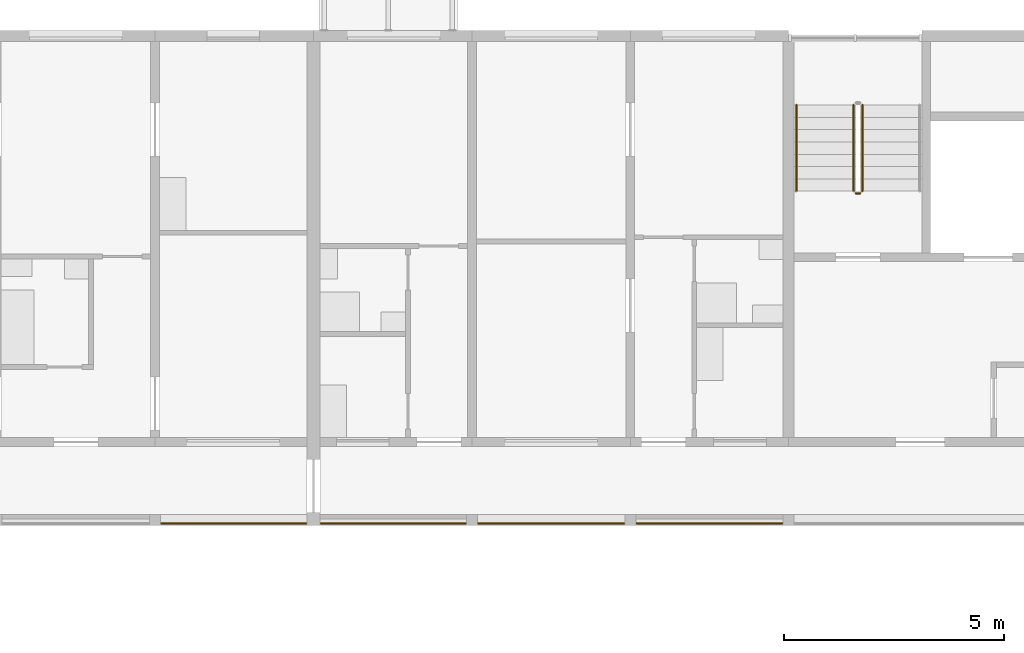
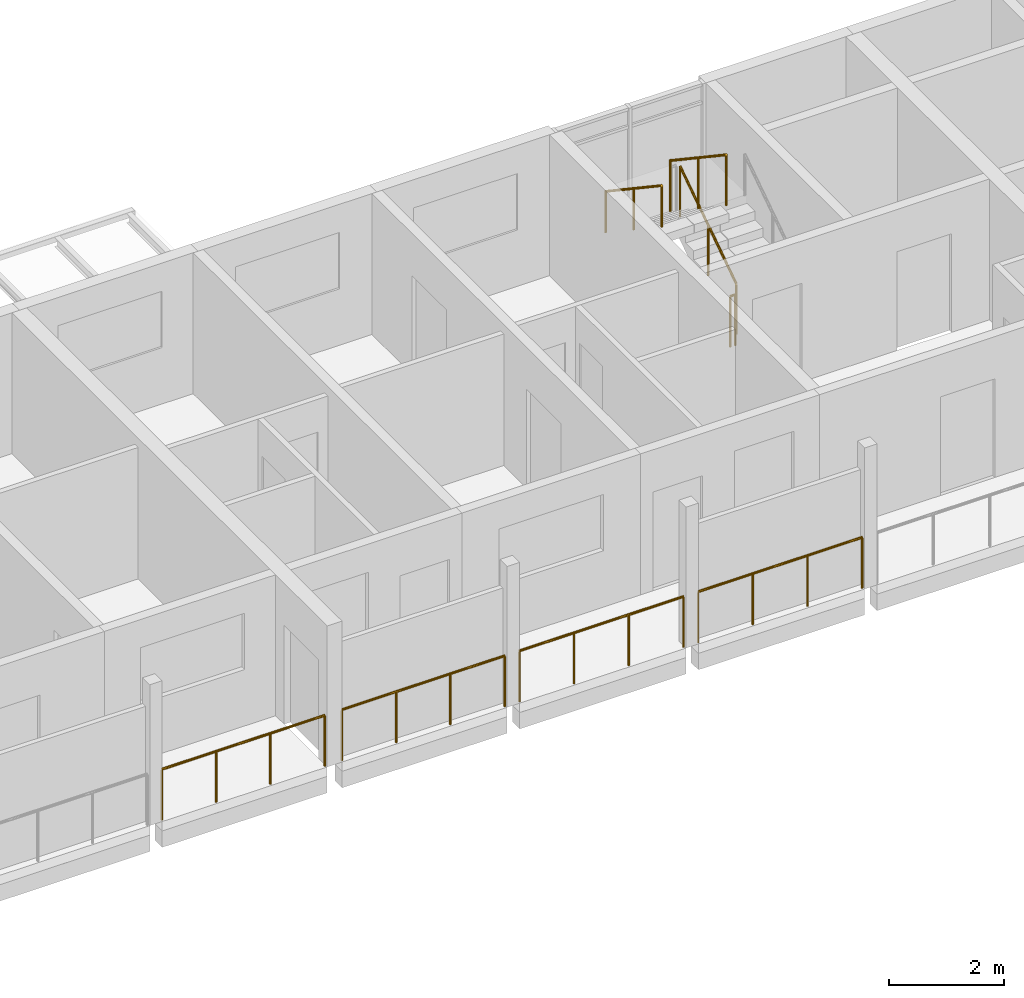
# One storey, part 78 of 100: 8 railings.
"""IFC4 building model written with IfcOpenShell, lengths in metres."""

from ifc_helpers import new_model, si_unit, direction, frame, origin, origin_2d, place, context, subcontext, project, spatial, circle, extrude, material, type_object, element, save


model = new_model("IFC4")

# Units and contexts
model_context = context("Model", 3, precision=1e-05, world=origin(), true_north=direction((0.0, 1.0)))
body_context = subcontext(model_context, "Body", "Model", "MODEL_VIEW")
ifc_project = project(units=[si_unit("LENGTHUNIT", "METRE"), si_unit("AREAUNIT", "SQUARE_METRE"), si_unit("VOLUMEUNIT", "CUBIC_METRE"), si_unit("PLANEANGLEUNIT", "RADIAN"), si_unit("MASSUNIT", "GRAM", prefix="KILO")], contexts=[model_context])

# Site, building, storey
site_placement = place(None, origin())
site = spatial("IfcSite", under=ifc_project, at=site_placement, CompositionType="ELEMENT")
building_placement = place(site_placement, origin())
building = spatial("IfcBuilding", under=site, at=building_placement, Name="Ridgestep Commons", CompositionType="ELEMENT")
storey_placement = place(building_placement, frame((0.0, 0.0, 9.0)))
storey = spatial("IfcBuildingStorey", under=building, at=storey_placement, Name="L03", CompositionType="ELEMENT", Elevation=9.0)

# Railings
ifc_material_1 = material(Name="Structural steel S355JR", Category="steel")
railing_type_1 = type_object("IfcRailingType", Name="Guard 1100", PredefinedType="GUARDRAIL", material=ifc_material_1)
for number, where, name in (
    (1, (58.946044921875, 66.050048828125, 0.0), "Gallery guard B 03.12"),
    (2, (62.571044921875, 66.050048828125, 0.0), "Gallery guard B 03.13"),
):
    element("IfcRailing", number, at=place(storey_placement, frame(where)), inside=storey, type_object=railing_type_1, Name=name, PredefinedType="GUARDRAIL", context=body_context, shape_type="SweptSolid", body=[
        extrude(circle(Radius=0.02392578125, at=origin_2d()), frame((0.0, 0.0, 1.076171875), z_axis=(1.0, 0.0, 0.0), x_axis=(0.0, 1.0, 0.0)), (0.0, 0.0, 1.0), 3.282958984375),
        extrude(circle(Radius=0.02099609375, at=origin_2d()), origin(), (0.0, 0.0, 1.0), 1.052001953125),
        extrude(circle(Radius=0.02099609375, at=origin_2d()), frame((1.09423828125, 0.0, 0.0)), (0.0, 0.0, 1.0), 1.052001953125),
        extrude(circle(Radius=0.02099609375, at=origin_2d()), frame((2.188720703125, 0.0, 0.0)), (0.0, 0.0, 1.0), 1.052001953125),
        extrude(circle(Radius=0.02099609375, at=origin_2d()), frame((3.282958984375, 0.0, 0.0)), (0.0, 0.0, 1.0), 1.052001953125),
    ])
railing_1_placement = place(storey_placement, frame((66.14599609375, 66.050048828125, 0.0)))
element("IfcRailing", 3, at=railing_1_placement, inside=storey, type_object=railing_type_1, Name="Gallery guard B 03.14", PredefinedType="GUARDRAIL", context=body_context, shape_type="SweptSolid", body=[
    extrude(circle(Radius=0.02392578125, at=origin_2d()), frame((0.0, 0.0, 1.076171875), z_axis=(1.0, 0.0, 0.0), x_axis=(0.0, 1.0, 0.0)), (0.0, 0.0, 1.0), 3.30810546875),
    extrude(circle(Radius=0.02099609375, at=origin_2d()), origin(), (0.0, 0.0, 1.0), 1.052001953125),
    extrude(circle(Radius=0.02099609375, at=origin_2d()), frame((1.102783203125, 0.0, 0.0)), (0.0, 0.0, 1.0), 1.052001953125),
    extrude(circle(Radius=0.02099609375, at=origin_2d()), frame((2.205322265625, 0.0, 0.0)), (0.0, 0.0, 1.0), 1.052001953125),
    extrude(circle(Radius=0.02099609375, at=origin_2d()), frame((3.30810546875, 0.0, 0.0)), (0.0, 0.0, 1.0), 1.052001953125),
])
railing_2_placement = place(storey_placement, frame((69.74609375, 66.050048828125, 0.0)))
element("IfcRailing", 4, at=railing_2_placement, inside=storey, type_object=railing_type_1, Name="Gallery guard B 03.15", PredefinedType="GUARDRAIL", context=body_context, shape_type="SweptSolid", body=[
    extrude(circle(Radius=0.02392578125, at=origin_2d()), frame((0.0, 0.0, 1.076171875), z_axis=(1.0, 0.0, 0.0), x_axis=(0.0, 1.0, 0.0)), (0.0, 0.0, 1.0), 3.307861328125),
    extrude(circle(Radius=0.02099609375, at=origin_2d()), origin(), (0.0, 0.0, 1.0), 1.052001953125),
    extrude(circle(Radius=0.02099609375, at=origin_2d()), frame((1.1025390625, 0.0, 0.0)), (0.0, 0.0, 1.0), 1.052001953125),
    extrude(circle(Radius=0.02099609375, at=origin_2d()), frame((2.205322265625, 0.0, 0.0)), (0.0, 0.0, 1.0), 1.052001953125),
    extrude(circle(Radius=0.02099609375, at=origin_2d()), frame((3.307861328125, 0.0, 0.0)), (0.0, 0.0, 1.0), 1.052001953125),
])
ifc_material_2 = material(Name="Structural steel S355JR", Category="steel")
railing_type_2 = type_object("IfcRailingType", Name="Stair guard 1100", PredefinedType="GUARDRAIL", material=ifc_material_2)
railing_3_placement = place(storey_placement, frame((74.875, 73.60009765625, 0.1875)))
element("IfcRailing", 5, at=railing_3_placement, inside=storey, type_object=railing_type_2, Name="L03 B4C stair guard 1", PredefinedType="GUARDRAIL", context=body_context, shape_type="SweptSolid", body=[
    extrude(circle(Radius=0.02392578125, at=origin_2d()), frame((0.0, 0.0, 1.076171875), z_axis=(0.0, 0.830902050051, 0.556418712142), x_axis=(-1.0, 0.0, 0.0)), (0.0, 0.0, 1.0), 2.35888671875),
    extrude(circle(Radius=0.02099609375, at=origin_2d()), origin(), (0.0, 0.0, 1.0), 1.052001953125),
    extrude(circle(Radius=0.02099609375, at=origin_2d()), frame((0.0, 0.97998046875, 0.65625)), (0.0, 0.0, 1.0), 1.052001953125),
    extrude(circle(Radius=0.02099609375, at=origin_2d()), frame((0.0, 1.9599609375, 1.3125)), (0.0, 0.0, 1.0), 1.052001953125),
])
railing_4_placement = place(storey_placement, frame((74.675048828125, 75.56005859375, 1.6875)))
element("IfcRailing", 6, at=railing_4_placement, inside=storey, type_object=railing_type_2, Name="L03 B4C stair guard 3", PredefinedType="GUARDRAIL", context=body_context, shape_type="SweptSolid", body=[
    extrude(circle(Radius=0.02392578125, at=origin_2d()), frame((0.0, 0.0, 1.076171875), z_axis=(0.0, -0.830902050051, 0.556418712142), x_axis=(1.0, 0.0, 0.0)), (0.0, 0.0, 1.0), 2.35888671875),
    extrude(circle(Radius=0.02099609375, at=origin_2d()), origin(), (0.0, 0.0, 1.0), 1.052001953125),
    extrude(circle(Radius=0.02099609375, at=origin_2d()), frame((0.0, -0.97998046875, 0.65625)), (0.0, 0.0, 1.0), 1.052001953125),
    extrude(circle(Radius=0.02099609375, at=origin_2d()), frame((0.0, -1.9599609375, 1.3125)), (0.0, 0.0, 1.0), 1.052001953125),
])
railing_5_placement = place(storey_placement, frame((74.824951171875, 73.550048828125, 0.0)))
element("IfcRailing", 7, at=railing_5_placement, inside=storey, type_object=railing_type_2, Name="L03 B4C stair guard 4", PredefinedType="GUARDRAIL", context=body_context, shape_type="SweptSolid", body=[
    extrude(circle(Radius=0.02392578125, at=origin_2d()), frame((0.0, 0.0, 1.076171875), z_axis=(-1.0, 0.0, 0.0), x_axis=(0.0, -1.0, 0.0)), (0.0, 0.0, 1.0), 0.099853515625),
    extrude(circle(Radius=0.02099609375, at=origin_2d()), origin(), (0.0, 0.0, 1.0), 1.052001953125),
    extrude(circle(Radius=0.02099609375, at=origin_2d()), frame((-0.099853515625, 0.0, 0.0)), (0.0, 0.0, 1.0), 1.052001953125),
])
ifc_material_3 = material(Name="Structural steel S355JR", Category="steel")
railing_type_3 = type_object("IfcRailingType", Name="Stair handrail 900", PredefinedType="HANDRAIL", material=ifc_material_3)
railing_6_placement = place(storey_placement, frame((73.375, 75.56005859375, 1.6875)))
element("IfcRailing", 8, at=railing_6_placement, inside=storey, type_object=railing_type_3, Name="L03 B4C stair handrail 2", PredefinedType="HANDRAIL", context=body_context, shape_type="SweptSolid", body=[
    extrude(circle(Radius=0.02392578125, at=origin_2d()), frame((0.0, 0.0, 0.8759765625), z_axis=(0.0, -0.830902050051, 0.556418712142), x_axis=(1.0, 0.0, 0.0)), (0.0, 0.0, 1.0), 2.35888671875),
    extrude(circle(Radius=0.02099609375, at=origin_2d()), origin(), (0.0, 0.0, 1.0), 0.851806640625),
    extrude(circle(Radius=0.02099609375, at=origin_2d()), frame((0.0, -0.97998046875, 0.65625)), (0.0, 0.0, 1.0), 0.851806640625),
    extrude(circle(Radius=0.02099609375, at=origin_2d()), frame((0.0, -1.9599609375, 1.3125)), (0.0, 0.0, 1.0), 0.851806640625),
])

save(model, "model.ifc")
